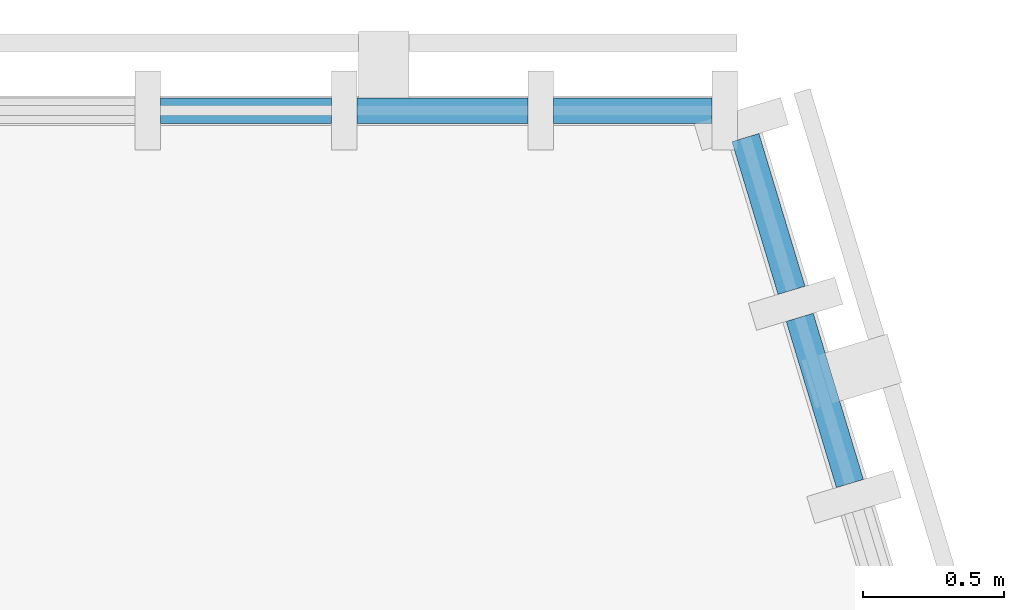
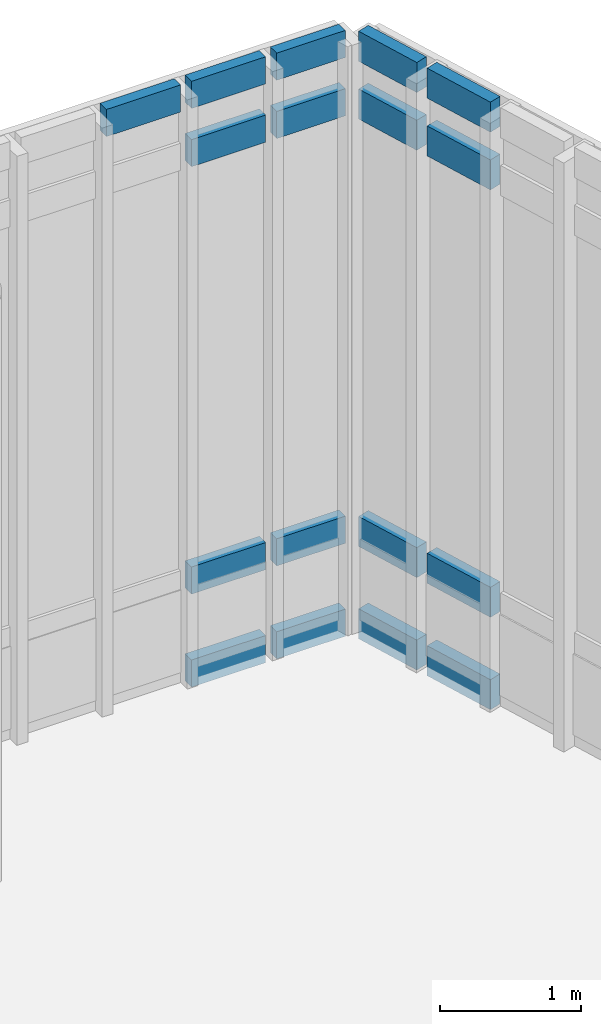
# One storey, part 70 of 135: 17 members, 2 elements without a shape of their own.
"""IFC4 building model written with IfcOpenShell, lengths in metres."""

from ifc_helpers import new_model, si_unit, direction, frame, origin, origin_2d, place, context, subcontext, project, spatial, rectangle, extrude, material, material_profile, profile_set, type_object, element, aggregate, save


model = new_model("IFC4")

# Units and contexts
model_context = context("Model", 3, precision=1e-05, world=origin(), true_north=direction((0.0, 1.0)))
body_context = subcontext(model_context, "Body", "Model", "MODEL_VIEW")
ifc_project = project(units=[si_unit("LENGTHUNIT", "METRE"), si_unit("AREAUNIT", "SQUARE_METRE"), si_unit("VOLUMEUNIT", "CUBIC_METRE"), si_unit("PLANEANGLEUNIT", "RADIAN"), si_unit("MASSUNIT", "GRAM", prefix="KILO")], contexts=[model_context])

# Site, building, storey
site_placement = place(None, origin())
site = spatial("IfcSite", under=ifc_project, at=site_placement, CompositionType="ELEMENT")
building_placement = place(site_placement, origin())
building = spatial("IfcBuilding", under=site, at=building_placement, Name="Larkvane Passage Sports Hall", CompositionType="ELEMENT")
storey_placement = place(building_placement, frame((0.0, 0.0, 16.800048828125)))
storey = spatial("IfcBuildingStorey", under=building, at=storey_placement, Name="L03", CompositionType="ELEMENT", Elevation=16.800048828125)

# Curtain wall, members
ifc_material_1 = material(Name="Thermally broken aluminium and low-E glazing", Category="aluminium")
curtain_wall_type_1 = type_object("IfcCurtainWallType", Name="CW-CLINIC", PredefinedType="USERDEFINED", material=ifc_material_1)
curtain_wall_1_placement = place(storey_placement, origin())
curtain_wall_1 = element("IfcCurtainWall", 1, at=curtain_wall_1_placement, inside=storey, type_object=curtain_wall_type_1, Name="Curtain wall CW5-L03-107", ObjectType="UNITISED CURTAIN WALL", PredefinedType="USERDEFINED")
ifc_material_2 = material(Name="Anodised aluminium 6063-T6", Category="aluminium")
ifc_material_profile_1 = material_profile(ifc_material_2, rectangle(XDim=0.10009765625, YDim=0.260009765625, at=origin_2d()), Name="ALU-TRN-100x260")
ifc_profile_set_1 = profile_set([ifc_material_profile_1], Name="Anodised aluminium 6063-T6")
member_type_1 = type_object("IfcMemberType", Name="CW-TRN-100x260", PredefinedType="USERDEFINED", material=ifc_profile_set_1)
member_1_placement = place(storey_placement, frame((149.72900390625, 85.104248046875, 0.050048828125), z_axis=(0.288930021211, -0.957350219535, 0.0), x_axis=(0.957350219535, 0.288930021211, 0.0)))
member_1 = element("IfcMember", 2, at=member_1_placement, type_object=member_type_1, Name="CW-05 transom 1.1", ObjectType="TRANSOM", PredefinedType="USERDEFINED", context=body_context, shape_type="SweptSolid", body=[
    extrude(rectangle(XDim=0.10009765625, YDim=0.260009765625, at=origin_2d()), origin(), (0.0, 0.0, 1.0), 0.566162109375),
])
member_2_placement = place(storey_placement, frame((149.72900390625, 85.104248046875, 0.849853515625), z_axis=(0.288930021211, -0.957350219535, 0.0), x_axis=(0.957350219535, 0.288930021211, 0.0)))
member_2 = element("IfcMember", 3, at=member_2_placement, type_object=member_type_1, Name="CW-05 transom 1.2", ObjectType="TRANSOM", PredefinedType="USERDEFINED", context=body_context, shape_type="SweptSolid", body=[
    extrude(rectangle(XDim=0.10009765625, YDim=0.260009765625, at=origin_2d()), origin(), (0.0, 0.0, 1.0), 0.566162109375),
])
member_3_placement = place(storey_placement, frame((149.72900390625, 85.104248046875, 4.550048828125), z_axis=(0.288930021211, -0.957350219535, 0.0), x_axis=(0.957350219535, 0.288930021211, 0.0)))
member_3 = element("IfcMember", 4, at=member_3_placement, type_object=member_type_1, Name="CW-05 transom 1.3", ObjectType="TRANSOM", PredefinedType="USERDEFINED", context=body_context, shape_type="SweptSolid", body=[
    extrude(rectangle(XDim=0.10009765625, YDim=0.260009765625, at=origin_2d()), origin(), (0.0, 0.0, 1.0), 0.566162109375),
])
member_4_placement = place(storey_placement, frame((149.72900390625, 85.104248046875, 5.050048828125), z_axis=(0.288930021211, -0.957350219535, 0.0), x_axis=(0.957350219535, 0.288930021211, 0.0)))
member_4 = element("IfcMember", 5, at=member_4_placement, type_object=member_type_1, Name="CW-05 transom 1.4", ObjectType="TRANSOM", PredefinedType="USERDEFINED", context=body_context, shape_type="SweptSolid", body=[
    extrude(rectangle(XDim=0.10009765625, YDim=0.260009765625, at=origin_2d()), origin(), (0.0, 0.0, 1.0), 0.566162109375),
])
member_5_placement = place(storey_placement, frame((149.921630859375, 84.46630859375, 0.050048828125), z_axis=(0.289237529827, -0.957257358989, 0.0), x_axis=(0.957257358989, 0.289237529827, 0.0)))
member_5 = element("IfcMember", 6, at=member_5_placement, type_object=member_type_1, Name="CW-05 transom 2.1", ObjectType="TRANSOM", PredefinedType="USERDEFINED", context=body_context, shape_type="SweptSolid", body=[
    extrude(rectangle(XDim=0.10009765625, YDim=0.260009765625, at=origin_2d()), origin(), (0.0, 0.0, 1.0), 0.6162109375),
])
member_6_placement = place(storey_placement, frame((149.921630859375, 84.46630859375, 0.849853515625), z_axis=(0.289237529827, -0.957257358989, 0.0), x_axis=(0.957257358989, 0.289237529827, 0.0)))
member_6 = element("IfcMember", 7, at=member_6_placement, type_object=member_type_1, Name="CW-05 transom 2.2", ObjectType="TRANSOM", PredefinedType="USERDEFINED", context=body_context, shape_type="SweptSolid", body=[
    extrude(rectangle(XDim=0.10009765625, YDim=0.260009765625, at=origin_2d()), origin(), (0.0, 0.0, 1.0), 0.6162109375),
])
member_7_placement = place(storey_placement, frame((149.921630859375, 84.46630859375, 4.550048828125), z_axis=(0.289237529827, -0.957257358989, 0.0), x_axis=(0.957257358989, 0.289237529827, 0.0)))
member_7 = element("IfcMember", 8, at=member_7_placement, type_object=member_type_1, Name="CW-05 transom 2.3", ObjectType="TRANSOM", PredefinedType="USERDEFINED", context=body_context, shape_type="SweptSolid", body=[
    extrude(rectangle(XDim=0.10009765625, YDim=0.260009765625, at=origin_2d()), origin(), (0.0, 0.0, 1.0), 0.6162109375),
])
member_8_placement = place(storey_placement, frame((149.921630859375, 84.46630859375, 5.050048828125), z_axis=(0.289237529827, -0.957257358989, 0.0), x_axis=(0.957257358989, 0.289237529827, 0.0)))
member_8 = element("IfcMember", 9, at=member_8_placement, type_object=member_type_1, Name="CW-05 transom 2.4", ObjectType="TRANSOM", PredefinedType="USERDEFINED", context=body_context, shape_type="SweptSolid", body=[
    extrude(rectangle(XDim=0.10009765625, YDim=0.260009765625, at=origin_2d()), origin(), (0.0, 0.0, 1.0), 0.6162109375),
])
aggregate(curtain_wall_1, [member_1, member_2, member_3, member_4, member_5, member_6, member_7, member_8])

curtain_wall_type_2 = type_object("IfcCurtainWallType", Name="CW-STICK-FOYER", PredefinedType="USERDEFINED", material=ifc_material_1)
curtain_wall_2_placement = place(storey_placement, origin())
curtain_wall_2 = element("IfcCurtainWall", 10, at=curtain_wall_2_placement, inside=storey, type_object=curtain_wall_type_2, Name="Curtain wall CW5-L03-106", ObjectType="STICK CURTAIN WALL", PredefinedType="USERDEFINED")
ifc_material_profile_2 = material_profile(ifc_material_2, rectangle(XDim=0.090087890625, YDim=0.235107421875, at=origin_2d()), Name="ALU-TRN-90x235")
ifc_profile_set_2 = profile_set([ifc_material_profile_2], Name="Anodised aluminium 6063-T6")
member_type_2 = type_object("IfcMemberType", Name="CW-TRN-90x235", PredefinedType="USERDEFINED", material=ifc_profile_set_2)
member_9_placement = place(storey_placement, frame((147.6533203125, 85.199951171875, 5.054931640625), z_axis=(1.0, 0.0, 0.0), x_axis=(0.0, 1.0, 0.0)))
member_9 = element("IfcMember", 11, at=member_9_placement, type_object=member_type_2, Name="CW-03 transom 7.4", ObjectType="TRANSOM", PredefinedType="USERDEFINED", context=body_context, shape_type="SweptSolid", body=[
    extrude(rectangle(XDim=0.090087890625, YDim=0.235107421875, at=origin_2d()), origin(), (0.0, 0.0, 1.0), 0.607177734375),
])
member_10_placement = place(storey_placement, frame((148.3505859375, 85.199951171875, 0.044921875), z_axis=(1.0, 0.0, 0.0), x_axis=(0.0, 1.0, 0.0)))
member_10 = element("IfcMember", 12, at=member_10_placement, type_object=member_type_2, Name="CW-03 transom 8.1", ObjectType="TRANSOM", PredefinedType="USERDEFINED", context=body_context, shape_type="SweptSolid", body=[
    extrude(rectangle(XDim=0.090087890625, YDim=0.235107421875, at=origin_2d()), origin(), (0.0, 0.0, 1.0), 0.607177734375),
])
member_11_placement = place(storey_placement, frame((148.3505859375, 85.199951171875, 0.849853515625), z_axis=(1.0, 0.0, 0.0), x_axis=(0.0, 1.0, 0.0)))
member_11 = element("IfcMember", 13, at=member_11_placement, type_object=member_type_2, Name="CW-03 transom 8.2", ObjectType="TRANSOM", PredefinedType="USERDEFINED", context=body_context, shape_type="SweptSolid", body=[
    extrude(rectangle(XDim=0.090087890625, YDim=0.235107421875, at=origin_2d()), origin(), (0.0, 0.0, 1.0), 0.607177734375),
])
member_12_placement = place(storey_placement, frame((148.3505859375, 85.199951171875, 4.550048828125), z_axis=(1.0, 0.0, 0.0), x_axis=(0.0, 1.0, 0.0)))
member_12 = element("IfcMember", 14, at=member_12_placement, type_object=member_type_2, Name="CW-03 transom 8.3", ObjectType="TRANSOM", PredefinedType="USERDEFINED", context=body_context, shape_type="SweptSolid", body=[
    extrude(rectangle(XDim=0.090087890625, YDim=0.235107421875, at=origin_2d()), origin(), (0.0, 0.0, 1.0), 0.607177734375),
])
member_13_placement = place(storey_placement, frame((148.3505859375, 85.199951171875, 5.054931640625), z_axis=(1.0, 0.0, 0.0), x_axis=(0.0, 1.0, 0.0)))
member_13 = element("IfcMember", 15, at=member_13_placement, type_object=member_type_2, Name="CW-03 transom 8.4", ObjectType="TRANSOM", PredefinedType="USERDEFINED", context=body_context, shape_type="SweptSolid", body=[
    extrude(rectangle(XDim=0.090087890625, YDim=0.235107421875, at=origin_2d()), origin(), (0.0, 0.0, 1.0), 0.607177734375),
])
member_14_placement = place(storey_placement, frame((149.0478515625, 85.199951171875, 0.044921875), z_axis=(1.0, 0.0, 0.0), x_axis=(0.0, 1.0, 0.0)))
member_14 = element("IfcMember", 16, at=member_14_placement, type_object=member_type_2, Name="CW-03 transom 9.1", ObjectType="TRANSOM", PredefinedType="USERDEFINED", context=body_context, shape_type="SweptSolid", body=[
    extrude(rectangle(XDim=0.090087890625, YDim=0.235107421875, at=origin_2d()), origin(), (0.0, 0.0, 1.0), 0.562255859375),
])
member_15_placement = place(storey_placement, frame((149.0478515625, 85.199951171875, 0.849853515625), z_axis=(1.0, 0.0, 0.0), x_axis=(0.0, 1.0, 0.0)))
member_15 = element("IfcMember", 17, at=member_15_placement, type_object=member_type_2, Name="CW-03 transom 9.2", ObjectType="TRANSOM", PredefinedType="USERDEFINED", context=body_context, shape_type="SweptSolid", body=[
    extrude(rectangle(XDim=0.090087890625, YDim=0.235107421875, at=origin_2d()), origin(), (0.0, 0.0, 1.0), 0.562255859375),
])
member_16_placement = place(storey_placement, frame((149.0478515625, 85.199951171875, 4.550048828125), z_axis=(1.0, 0.0, 0.0), x_axis=(0.0, 1.0, 0.0)))
member_16 = element("IfcMember", 18, at=member_16_placement, type_object=member_type_2, Name="CW-03 transom 9.3", ObjectType="TRANSOM", PredefinedType="USERDEFINED", context=body_context, shape_type="SweptSolid", body=[
    extrude(rectangle(XDim=0.090087890625, YDim=0.235107421875, at=origin_2d()), origin(), (0.0, 0.0, 1.0), 0.562255859375),
])
member_17_placement = place(storey_placement, frame((149.0478515625, 85.199951171875, 5.054931640625), z_axis=(1.0, 0.0, 0.0), x_axis=(0.0, 1.0, 0.0)))
member_17 = element("IfcMember", 19, at=member_17_placement, type_object=member_type_2, Name="CW-03 transom 9.4", ObjectType="TRANSOM", PredefinedType="USERDEFINED", context=body_context, shape_type="SweptSolid", body=[
    extrude(rectangle(XDim=0.090087890625, YDim=0.235107421875, at=origin_2d()), origin(), (0.0, 0.0, 1.0), 0.562255859375),
])
aggregate(curtain_wall_2, [member_9, member_10, member_11, member_12, member_13, member_14, member_15, member_16, member_17])

save(model, "model.ifc")
